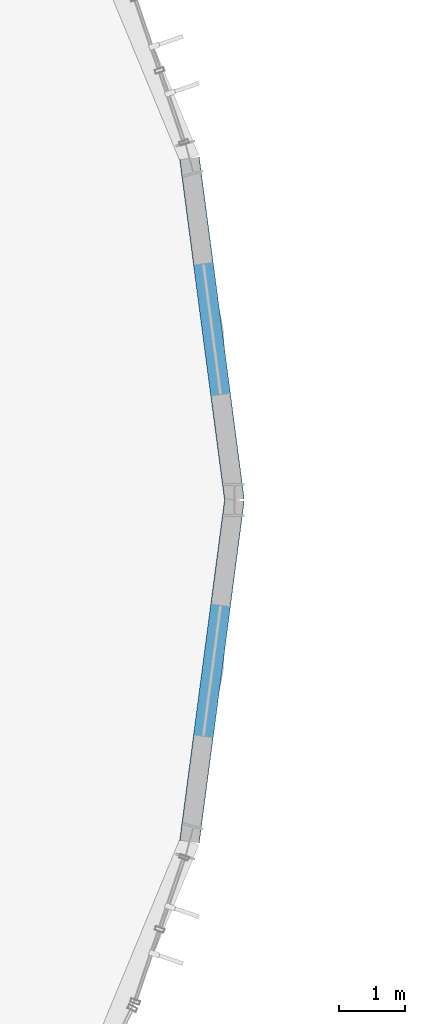
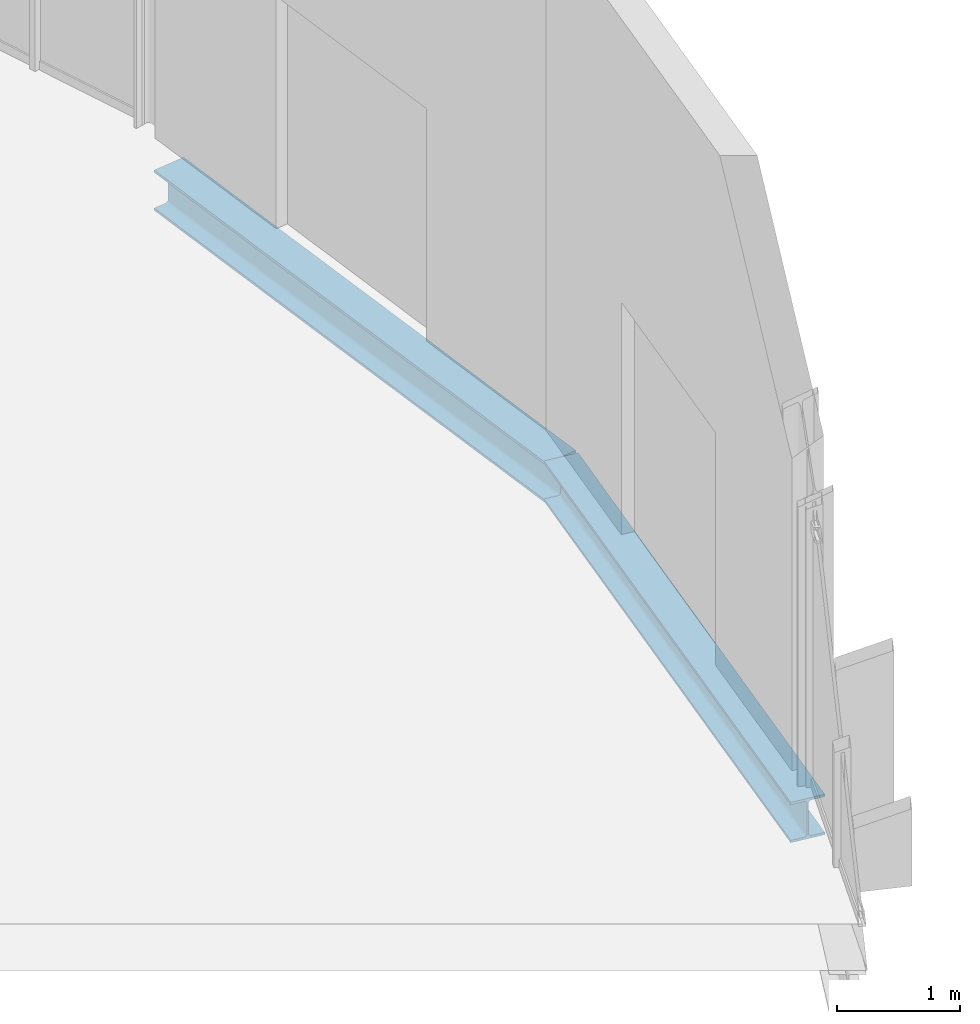
# One storey, part 55 of 158: 2 beams.
"""IFC4 building model written with IfcOpenShell, lengths in metres."""

import ifcopenshell
import ifcopenshell.guid

model = None  # the IFC model being written
_history = None  # IfcOwnerHistory: only IFC2X3 demands one
_inside = {}  # id of a spatial element -> (the spatial element, [elements in it])
_under = {}  # id of a project, library or spatial element -> (it, [spatial elements below it])
_declared = {}  # id of a project -> (the project, [libraries it declares])
_typed = {}  # id of a type object -> (the type object, [elements of that type])
_made_of = {}  # id of a material, layer set ... -> (it, [elements and type objects made of it])


def new_model(schema):
    """Start an empty IFC model of exactly this schema.

    Asked for "IFC4X3", IfcOpenShell would pick the latest addendum, in which some entities
    have other attributes; the version numbers below select the first issue.
    IFC2X3 requires an IfcOwnerHistory on every rooted entity: one is made here for all.
    """
    global model, _history
    if schema == "IFC4X3":
        model = ifcopenshell.file(schema_version=(4, 3, 0, 0))
    else:
        model = ifcopenshell.file(schema=schema)
    _inside.clear()
    _under.clear()
    _declared.clear()
    _typed.clear()
    _made_of.clear()
    _history = None
    if model.schema == "IFC2X3":
        org = make("IfcOrganization", Name="unknown")
        user = make(
            "IfcPersonAndOrganization",
            ThePerson=make("IfcPerson", FamilyName="unknown"),
            TheOrganization=org,
        )
        app = make(
            "IfcApplication",
            ApplicationDeveloper=org,
            Version="unknown",
            ApplicationFullName="unknown",
            ApplicationIdentifier="unknown",
        )
        _history = make(
            "IfcOwnerHistory",
            OwningUser=user,
            OwningApplication=app,
            ChangeAction="ADDED",
            CreationDate=0,
        )
    return model


def make(cls, **values):
    """One entity of the class cls with the attributes given. An attribute that is None is left unset."""
    return model.create_entity(
        cls, **{name: value for name, value in values.items() if value is not None}
    )


def rooted(cls, **values):
    """An entity with a GlobalId (a new one), such as an element, a storey or a relation."""
    return make(cls, GlobalId=ifcopenshell.guid.new(), OwnerHistory=_history, **values)


def si_unit(unit_type, name, prefix=None):
    """IfcSIUnit, for example si_unit("LENGTHUNIT", "METRE", prefix="MILLI")."""
    return make("IfcSIUnit", UnitType=unit_type, Prefix=prefix, Name=name)


def derived_unit(unit_type, elements):
    """IfcDerivedUnit: a product of units, each with its exponent."""
    return make(
        "IfcDerivedUnit",
        Elements=[
            make("IfcDerivedUnitElement", Unit=unit, Exponent=power)
            for unit, power in elements
        ],
        UnitType=unit_type,
    )


def assignment(units):
    """IfcUnitAssignment: the units of a project."""
    return None if units is None else make("IfcUnitAssignment", Units=units)


def point(xyz):
    """IfcCartesianPoint."""
    return None if xyz is None else make("IfcCartesianPoint", Coordinates=xyz)


def direction(xyz):
    """IfcDirection."""
    return None if xyz is None else make("IfcDirection", DirectionRatios=xyz)


def frame(location, z_axis=None, x_axis=None):
    """IfcAxis2Placement3D, a coordinate frame: its origin and axes. An axis left out is left unset."""
    return make(
        "IfcAxis2Placement3D",
        Location=point(location),
        Axis=direction(z_axis),
        RefDirection=direction(x_axis),
    )


def frame_2d(location, x_axis=None):
    """IfcAxis2Placement2D, a coordinate frame in the plane: its origin and x axis."""
    return make(
        "IfcAxis2Placement2D", Location=point(location), RefDirection=direction(x_axis)
    )


def origin():
    """The frame at (0, 0, 0) with its axes left unset."""
    return frame((0.0, 0.0, 0.0))


def origin_2d():
    """The frame at (0, 0) in the plane with its x axis left unset."""
    return frame_2d((0.0, 0.0))


def place(relative_to, where):
    """IfcLocalPlacement: puts the frame where relative to a parent placement (None: the world)."""
    return make(
        "IfcLocalPlacement", PlacementRelTo=relative_to, RelativePlacement=where
    )


def context(
    kind, dimensions, precision=None, world=None, true_north=None, identifier=None
):
    """IfcGeometricRepresentationContext, for example the 3D "Model" context."""
    return make(
        "IfcGeometricRepresentationContext",
        ContextIdentifier=identifier,
        ContextType=kind,
        CoordinateSpaceDimension=dimensions,
        Precision=precision,
        WorldCoordinateSystem=world,
        TrueNorth=true_north,
    )


def subcontext(parent, identifier, kind, view, scale=None):
    """IfcGeometricRepresentationSubContext, for example "Body" below "Model"."""
    return make(
        "IfcGeometricRepresentationSubContext",
        ContextIdentifier=identifier,
        ContextType=kind,
        ParentContext=parent,
        TargetScale=scale,
        TargetView=view,
    )


def project(units=None, contexts=None):
    """IfcProject with its units and contexts."""
    return rooted(
        "IfcProject",
        Name="project",
        RepresentationContexts=contexts,
        UnitsInContext=assignment(units),
    )


def spatial(cls, under=None, at=None, **own):
    """A site, building, storey or space (cls), placed at a placement, below another one or the project."""
    s = rooted(cls, ObjectPlacement=at, **own)
    if under is not None:
        _under.setdefault(under.id(), (under, []))[1].append(s)
    return s


def profile(cls, at=None, kind="AREA", **sizes):
    """A parametric profile (cls). Its sizes go by their IFC names, for example OverallWidth=200.0."""
    return make(cls, ProfileType=kind, Position=at, **sizes)


def i_section(**sizes):
    """IfcIShapeProfileDef."""
    return profile("IfcIShapeProfileDef", **sizes)


def extrude(swept, where, along, depth):
    """IfcExtrudedAreaSolid: the profile swept, set in the frame where, extruded along a direction by depth."""
    return make(
        "IfcExtrudedAreaSolid",
        SweptArea=swept,
        Position=where,
        ExtrudedDirection=direction(along),
        Depth=depth,
    )


def shape(context_of_items, identifier, shape_type, items):
    """IfcShapeRepresentation: the items that make up one representation, for example the "Body"."""
    return make(
        "IfcShapeRepresentation",
        ContextOfItems=context_of_items,
        RepresentationIdentifier=identifier,
        RepresentationType=shape_type,
        Items=items,
    )


def material(Name=None, Category=None):
    """IfcMaterial."""
    return make("IfcMaterial", Name=Name, Category=Category)


def material_profile(
    of_material, cross_section, Name=None, Category=None, Priority=None
):
    """IfcMaterialProfile: a cross section and its material."""
    return make(
        "IfcMaterialProfile",
        Name=Name,
        Material=of_material,
        Profile=cross_section,
        Priority=Priority,
        Category=Category,
    )


def profile_set(profiles, Name=None, composite=None):
    """IfcMaterialProfileSet."""
    return make(
        "IfcMaterialProfileSet",
        Name=Name,
        MaterialProfiles=profiles,
        CompositeProfile=composite,
    )


def made_of(thing, what):
    """Note that an element or type object is made of a material, layer set ...; save() writes the relation."""
    if what is not None:
        _made_of.setdefault(what.id(), (what, []))[1].append(thing)
    return thing


def type_object(cls, material=None, **own):
    """A type object (cls), such as IfcWallType, which elements share."""
    return made_of(rooted(cls, **own), material)


def element(
    cls,
    number,
    at=None,
    inside=None,
    cuts=None,
    type_object=None,
    material=None,
    context=None,
    identifier="Body",
    shape_type=None,
    held_by="IfcProductDefinitionShape",
    body=None,
    shapes=None,
    **own,
):
    """One element of the class cls, such as IfcWall. Its Tag is "e" and its number.

    at: its placement. inside: the storey or other place that contains it. cuts: it is an
    opening in that element (IfcRelVoidsElement). A single representation is given by context,
    identifier, shape_type and body (its items); several are given by shapes. held_by: the class
    of the entity that holds the representations. save() writes the other relations.
    """
    e = rooted(cls, Tag="e%d" % number, ObjectPlacement=at, **own)
    if body is not None:
        shapes = [shape(context, identifier, shape_type, body)]
    if shapes is not None:
        e.Representation = make(held_by, Representations=shapes)
    if inside is not None:
        _inside.setdefault(inside.id(), (inside, []))[1].append(e)
    if cuts is not None:
        rooted(
            "IfcRelVoidsElement", RelatingBuildingElement=cuts, RelatedOpeningElement=e
        )
    if type_object is not None:
        _typed.setdefault(type_object.id(), (type_object, []))[1].append(e)
    return made_of(e, material)


def aggregate(whole, parts):
    """IfcRelAggregates: a whole, such as a stair, and the parts it consists of."""
    return rooted("IfcRelAggregates", RelatingObject=whole, RelatedObjects=parts)


def save(model, path):
    """Write the relations noted so far, then the file.

    IfcRelAggregates (storeys below a building ...), IfcRelContainedInSpatialStructure (elements
    in a storey), IfcRelDefinesByType, IfcRelAssociatesMaterial and IfcRelDeclares: one each for
    every whole, place, type object, material and project.
    """
    for whole, parts in _under.values():
        aggregate(whole, parts)
    for where, things in _inside.values():
        rooted(
            "IfcRelContainedInSpatialStructure",
            RelatedElements=things,
            RelatingStructure=where,
        )
    for kind, things in _typed.values():
        rooted("IfcRelDefinesByType", RelatedObjects=things, RelatingType=kind)
    for what, things in _made_of.values():
        rooted("IfcRelAssociatesMaterial", RelatedObjects=things, RelatingMaterial=what)
    for by, libraries in _declared.values():
        rooted("IfcRelDeclares", RelatingContext=by, RelatedDefinitions=libraries)
    model.write(path)


model = new_model("IFC4")

# Units and contexts
model_context = context("Model", 3, precision=1e-05, world=origin(), true_north=direction((0.0, 1.0)))
body_context = subcontext(model_context, "Body", "Model", "MODEL_VIEW")
ifc_project = project(units=[si_unit("LENGTHUNIT", "METRE"), si_unit("AREAUNIT", "SQUARE_METRE"), si_unit("VOLUMEUNIT", "CUBIC_METRE"), si_unit("PLANEANGLEUNIT", "RADIAN"), si_unit("MASSUNIT", "GRAM", prefix="KILO"), si_unit("THERMODYNAMICTEMPERATUREUNIT", "KELVIN"), si_unit("TIMEUNIT", "SECOND"), derived_unit("THERMALTRANSMITTANCEUNIT", [(si_unit("MASSUNIT", "GRAM", prefix="KILO"), 1), (si_unit("THERMODYNAMICTEMPERATUREUNIT", "KELVIN"), -1), (si_unit("TIMEUNIT", "SECOND"), -3)])], contexts=[model_context])

# Site, building, storey
site_placement = place(None, origin())
site = spatial("IfcSite", under=ifc_project, at=site_placement, CompositionType="ELEMENT")
building_placement = place(site_placement, origin())
building = spatial("IfcBuilding", under=site, at=building_placement, Name="Cambertide Market Hall", CompositionType="ELEMENT")
storey_placement = place(building_placement, origin())
storey = spatial("IfcBuildingStorey", under=building, at=storey_placement, Name="L01", CompositionType="ELEMENT", Elevation=0.0)

# Beams
ifc_material = material(Name="Steel S355", Category="steel")
ifc_material_profile = material_profile(ifc_material, i_section(OverallWidth=0.300048828125, OverallDepth=0.39990234375, WebThickness=0.013427734375, FlangeThickness=0.02392578125, FilletRadius=0.027099609375, at=origin_2d()), Name="HEB 400")
ifc_profile_set = profile_set([ifc_material_profile], Name="Steel S355")
beam_type = type_object("IfcBeamType", Name="Steel Girder HEB 400", PredefinedType="BEAM", material=ifc_profile_set)
for number, where, z_axis, x_axis, name in (
    (1, (124.318603515625, 66.82373046875, -0.510009765625), (0.130512574825, 0.991446654043, 0.0), (-0.991446654043, 0.130512574825, 0.0), "Level 1 Beam BM-V1AE-L01-6"),
    (2, (125.0, 72.0, -0.510009765625), (-0.130512574825, 0.991446654043, 0.0), (-0.991446654043, -0.130512574825, 0.0), "Level 1 Beam BM-V1AE-L01-7"),
):
    element("IfcBeam", number, at=place(storey_placement, frame(where, z_axis=z_axis, x_axis=x_axis)), inside=storey, type_object=beam_type, Name=name, PredefinedType="BEAM", context=body_context, shape_type="SweptSolid", body=[
        extrude(i_section(OverallWidth=0.300048828125, OverallDepth=0.39990234375, WebThickness=0.013427734375, FlangeThickness=0.02392578125, FilletRadius=0.027099609375, at=origin_2d()), origin(), (0.0, 0.0, 1.0), 5.220947265625),
    ])

save(model, "model.ifc")
